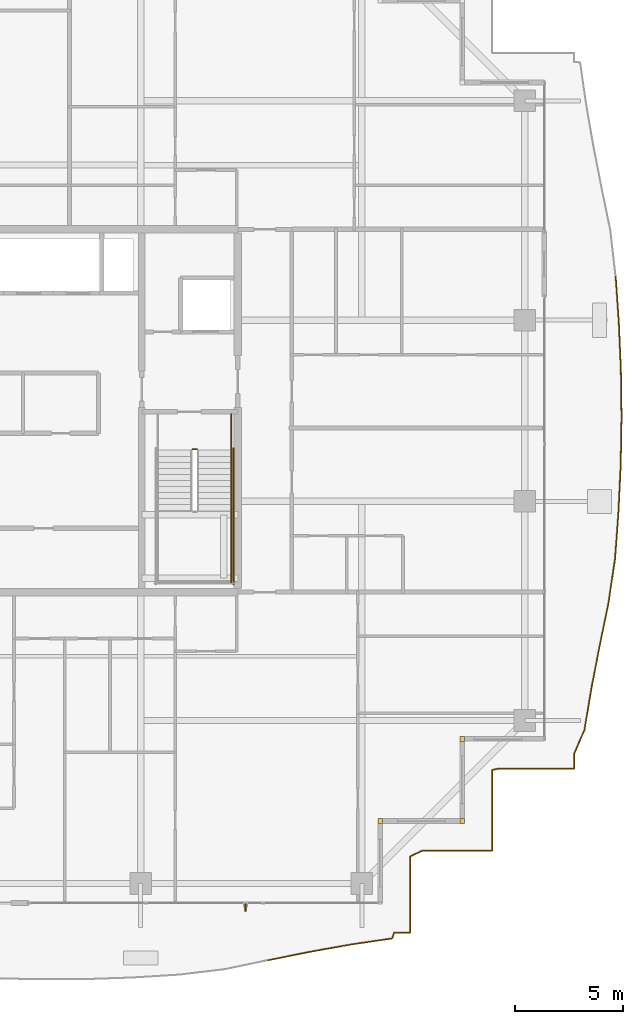
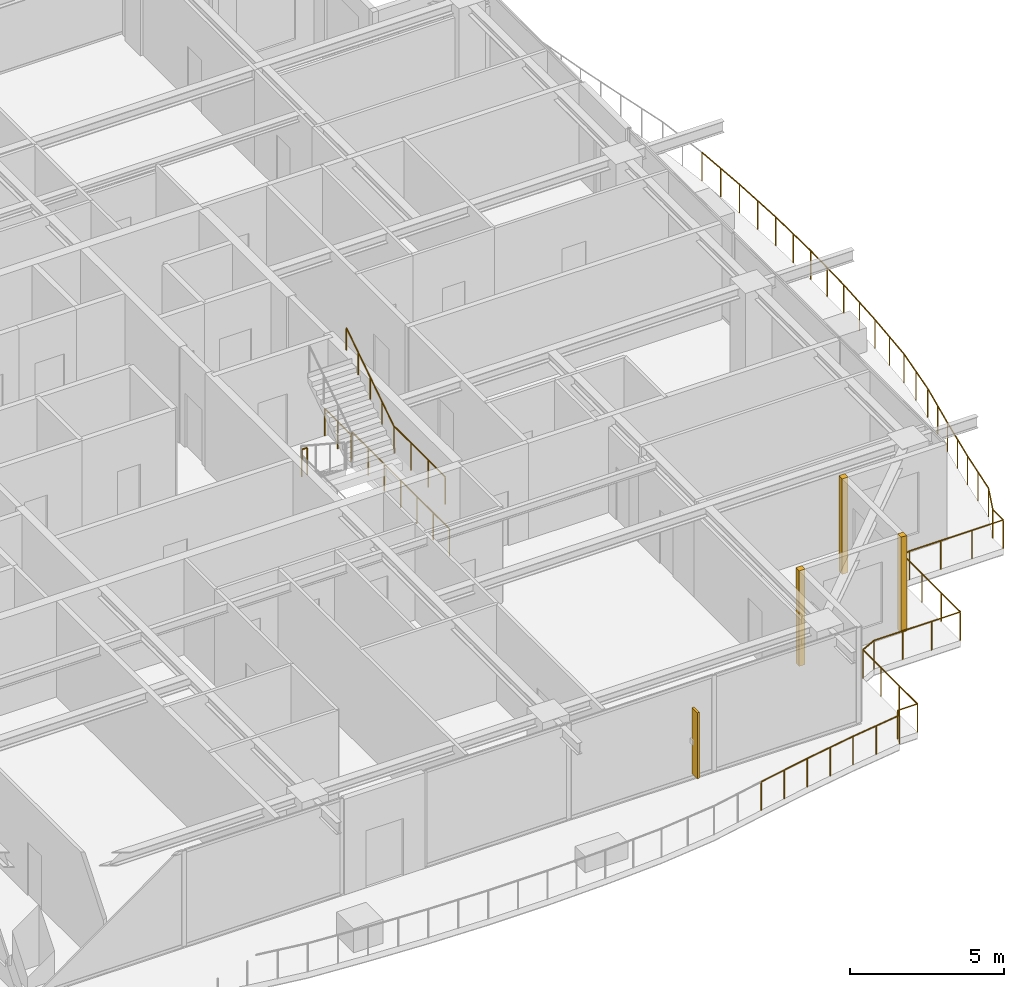
# One storey, part 41 of 42: 8 railings, 3 coverings, 1 shading device.
"""IFC4 building model written with IfcOpenShell, lengths in metres."""

from ifc_helpers import new_model, si_unit, direction, frame, origin, origin_2d, place, context, subcontext, project, spatial, rectangle, circle, extrude, source, transform, mapped, material, layer, layer_set, type_object, element, save


model = new_model("IFC4")

# Units and contexts
model_context = context("Model", 3, precision=1e-05, world=origin(), true_north=direction((0.0, 1.0)))
body_context = subcontext(model_context, "Body", "Model", "MODEL_VIEW")
ifc_project = project(units=[si_unit("LENGTHUNIT", "METRE"), si_unit("AREAUNIT", "SQUARE_METRE"), si_unit("VOLUMEUNIT", "CUBIC_METRE"), si_unit("PLANEANGLEUNIT", "RADIAN"), si_unit("MASSUNIT", "GRAM", prefix="KILO")], contexts=[model_context])

# Site, building, storey
site_placement = place(None, origin())
site = spatial("IfcSite", under=ifc_project, at=site_placement, CompositionType="ELEMENT")
building_placement = place(site_placement, origin())
building = spatial("IfcBuilding", under=site, at=building_placement, Name="Serunith Strait Residences", CompositionType="ELEMENT")
storey_placement = place(building_placement, frame((0.0, 0.0, 325.85009765625)))
storey = spatial("IfcBuildingStorey", under=building, at=storey_placement, Name="L81", CompositionType="ELEMENT", Elevation=325.85009765625)

# Railings
ifc_material_1 = material(Name="Stainless Steel & Laminated Glass Balustrade", Category="steel")
railing_type_1 = type_object("IfcRailingType", Name="RLG-BALC-1150", PredefinedType="BALUSTRADE", material=ifc_material_1)
railing_1_placement = place(storey_placement, frame((58.90234375, 31.4638671875, -0.050048828125)))
element("IfcRailing", 1, at=railing_1_placement, inside=storey, type_object=railing_type_1, Name="L81 Swirling Balcony Perimeter Balustrade 4", PredefinedType="BALUSTRADE", context=body_context, shape_type="SweptSolid", body=[
    extrude(circle(Radius=0.02392578125, at=origin_2d()), frame((0.000244140625, -0.001953125, 1.1259765625), z_axis=(0.068690200773, -0.997638038728, 0.0), x_axis=(0.997638038728, 0.068690200773, 0.0)), (0.0, 0.0, 1.0), 2.167724609375),
    extrude(circle(Radius=0.02392578125, at=origin_2d()), frame((0.149169921875, -2.16845703125, 1.1259765625), z_axis=(0.043557775177, -0.999050909725, 0.0), x_axis=(0.999050909725, 0.043557775177, 0.0)), (0.0, 0.0, 1.0), 2.193115234375),
    extrude(circle(Radius=0.02392578125, at=origin_2d()), frame((0.244873046875, -4.363525390625, 1.1259765625), z_axis=(0.013916690371, -0.999903158175, 0.0), x_axis=(0.999903158175, 0.013916690371, 0.0)), (0.0, 0.0, 1.0), 2.206298828125),
    extrude(circle(Radius=0.02392578125, at=origin_2d()), frame((0.275634765625, -6.57373046875, 1.1259765625), z_axis=(-0.017684609597, -0.999843615064, 0.0), x_axis=(0.999843615064, -0.017684609597, 0.0)), (0.0, 0.0, 1.0), 2.204833984375),
    extrude(circle(Radius=0.02392578125, at=origin_2d()), frame((0.236572265625, -8.7822265625, 1.1259765625), z_axis=(-0.04764448286, -0.998864356784, 0.0), x_axis=(0.998864356784, -0.04764448286, 0.0)), (0.0, 0.0, 1.0), 2.189208984375),
    extrude(circle(Radius=0.02392578125, at=origin_2d()), frame((0.1318359375, -10.972900390625, 1.1259765625), z_axis=(-0.072841595879, -0.997343522519, 0.0), x_axis=(0.997343522519, -0.072841595879, 0.0)), (0.0, 0.0, 1.0), 2.1611328125),
    extrude(circle(Radius=0.02392578125, at=origin_2d()), frame((-0.02587890625, -13.13232421875, 1.1259765625), z_axis=(-0.14770495768, -0.989031468396, 0.0), x_axis=(0.989031468396, -0.14770495768, 0.0)), (0.0, 0.0, 1.0), 2.10009765625),
    extrude(circle(Radius=0.02099609375, at=origin_2d()), origin(), (0.0, 0.0, 1.0), 1.099853515625),
    extrude(circle(Radius=0.02099609375, at=origin_2d()), frame((0.07470703125, -1.083251953125, 0.0)), (0.0, 0.0, 1.0), 1.099853515625),
    extrude(circle(Radius=0.02099609375, at=origin_2d()), frame((0.149169921875, -2.16650390625, 0.0)), (0.0, 0.0, 1.0), 1.099853515625),
    extrude(circle(Radius=0.02099609375, at=origin_2d()), frame((0.197021484375, -3.26416015625, 0.0)), (0.0, 0.0, 1.0), 1.099853515625),
    extrude(circle(Radius=0.02099609375, at=origin_2d()), frame((0.244873046875, -4.361572265625, 0.0)), (0.0, 0.0, 1.0), 1.099853515625),
    extrude(circle(Radius=0.02099609375, at=origin_2d()), frame((0.26025390625, -5.466796875, 0.0)), (0.0, 0.0, 1.0), 1.099853515625),
    extrude(circle(Radius=0.02099609375, at=origin_2d()), frame((0.275634765625, -6.57177734375, 0.0)), (0.0, 0.0, 1.0), 1.099853515625),
    extrude(circle(Radius=0.02099609375, at=origin_2d()), frame((0.256103515625, -7.676025390625, 0.0)), (0.0, 0.0, 1.0), 1.099853515625),
    extrude(circle(Radius=0.02099609375, at=origin_2d()), frame((0.236572265625, -8.7802734375, 0.0)), (0.0, 0.0, 1.0), 1.099853515625),
    extrude(circle(Radius=0.02099609375, at=origin_2d()), frame((0.184326171875, -9.87548828125, 0.0)), (0.0, 0.0, 1.0), 1.099853515625),
    extrude(circle(Radius=0.02099609375, at=origin_2d()), frame((0.132080078125, -10.970947265625, 0.0)), (0.0, 0.0, 1.0), 1.099853515625),
    extrude(circle(Radius=0.02099609375, at=origin_2d()), frame((0.05322265625, -12.05078125, 0.0)), (0.0, 0.0, 1.0), 1.099853515625),
    extrude(circle(Radius=0.02099609375, at=origin_2d()), frame((-0.025634765625, -13.13037109375, 0.0)), (0.0, 0.0, 1.0), 1.099853515625),
    extrude(circle(Radius=0.02099609375, at=origin_2d()), frame((-0.18115234375, -14.1708984375, 0.0)), (0.0, 0.0, 1.0), 1.099853515625),
    extrude(circle(Radius=0.02099609375, at=origin_2d()), frame((-0.33642578125, -15.21142578125, 0.0)), (0.0, 0.0, 1.0), 1.099853515625),
])
railing_2_placement = place(storey_placement, frame((58.56591796875, 16.25244140625, -0.050048828125)))
element("IfcRailing", 2, at=railing_2_placement, inside=storey, type_object=railing_type_1, Name="L81 Swirling Balcony Perimeter Balustrade 5", PredefinedType="BALUSTRADE", context=body_context, shape_type="SweptSolid", body=[
    extrude(circle(Radius=0.02392578125, at=origin_2d()), frame((-0.00048828125, -0.001953125, 1.1259765625), z_axis=(-0.203098928491, -0.979158222784, 0.0), x_axis=(0.979158222784, -0.203098928491, 0.0)), (0.0, 0.0, 1.0), 2.025146484375),
    extrude(circle(Radius=0.02392578125, at=origin_2d()), frame((-0.41259765625, -1.98876953125, 1.1259765625), z_axis=(-0.189641096575, -0.981853479135, 0.0), x_axis=(0.981853479135, -0.189641096575, 0.0)), (0.0, 0.0, 1.0), 1.969482421875),
    extrude(circle(Radius=0.02392578125, at=origin_2d()), frame((-0.78662109375, -3.926513671875, 1.1259765625), z_axis=(-0.16464449124, -0.986352975108, 0.0), x_axis=(0.986352975108, -0.16464449124, 0.0)), (0.0, 0.0, 1.0), 1.93115234375),
    extrude(circle(Radius=0.02392578125, at=origin_2d()), frame((-1.105712890625, -5.835205078125, 1.1259765625), z_axis=(-0.394911012652, -0.918719376135, 0.0), x_axis=(0.918719376135, -0.394911012652, 0.0)), (0.0, 0.0, 1.0), 1.2138671875),
    extrude(circle(Radius=0.02392578125, at=origin_2d()), frame((-1.5859375, -6.9541015625, 1.1259765625), z_axis=(0.0, -1.0, 0.0), x_axis=(1.0, 0.0, 0.0)), (0.0, 0.0, 1.0), 0.67626953125),
    extrude(circle(Radius=0.02392578125, at=origin_2d()), frame((-1.587890625, -7.63232421875, 1.1259765625), z_axis=(-1.0, 0.0, 0.0), x_axis=(0.0, -1.0, 0.0)), (0.0, 0.0, 1.0), 3.5078125),
    extrude(circle(Radius=0.02392578125, at=origin_2d()), frame((-5.099609375, -7.6328125, 1.1259765625), z_axis=(-0.969803427942, -0.243887906942, 0.0), x_axis=(0.243887906942, -0.969803427942, 0.0)), (0.0, 0.0, 1.0), 0.293212890625),
    extrude(circle(Radius=0.02392578125, at=origin_2d()), frame((-5.385986328125, -7.706787109375, 1.1259765625), z_axis=(0.0, -1.0, 0.0), x_axis=(1.0, 0.0, 0.0)), (0.0, 0.0, 1.0), 3.7236328125),
    extrude(circle(Radius=0.02099609375, at=origin_2d()), origin(), (0.0, 0.0, 1.0), 1.099853515625),
    extrude(circle(Radius=0.02099609375, at=origin_2d()), frame((-0.2060546875, -0.993408203125, 0.0)), (0.0, 0.0, 1.0), 1.099853515625),
    extrude(circle(Radius=0.02099609375, at=origin_2d()), frame((-0.412109375, -1.98681640625, 0.0)), (0.0, 0.0, 1.0), 1.099853515625),
    extrude(circle(Radius=0.02099609375, at=origin_2d()), frame((-0.59912109375, -2.95556640625, 0.0)), (0.0, 0.0, 1.0), 1.099853515625),
    extrude(circle(Radius=0.02099609375, at=origin_2d()), frame((-0.786376953125, -3.924560546875, 0.0)), (0.0, 0.0, 1.0), 1.099853515625),
    extrude(circle(Radius=0.02099609375, at=origin_2d()), frame((-0.94580078125, -4.87890625, 0.0)), (0.0, 0.0, 1.0), 1.099853515625),
    extrude(circle(Radius=0.02099609375, at=origin_2d()), frame((-1.10498046875, -5.833251953125, 0.0)), (0.0, 0.0, 1.0), 1.099853515625),
    extrude(circle(Radius=0.02099609375, at=origin_2d()), frame((-1.5859375, -6.9521484375, 0.0)), (0.0, 0.0, 1.0), 1.099853515625),
    extrude(circle(Radius=0.02099609375, at=origin_2d()), frame((-1.5859375, -7.63232421875, 0.0)), (0.0, 0.0, 1.0), 1.099853515625),
    extrude(circle(Radius=0.02099609375, at=origin_2d()), frame((-2.756591796875, -7.63232421875, 0.0)), (0.0, 0.0, 1.0), 1.099853515625),
    extrude(circle(Radius=0.02099609375, at=origin_2d()), frame((-3.927001953125, -7.63232421875, 0.0)), (0.0, 0.0, 1.0), 1.099853515625),
    extrude(circle(Radius=0.02099609375, at=origin_2d()), frame((-5.09765625, -7.63232421875, 0.0)), (0.0, 0.0, 1.0), 1.099853515625),
    extrude(circle(Radius=0.02099609375, at=origin_2d()), frame((-5.385986328125, -7.704833984375, 0.0)), (0.0, 0.0, 1.0), 1.099853515625),
    extrude(circle(Radius=0.02099609375, at=origin_2d()), frame((-5.385986328125, -8.947265625, 0.0)), (0.0, 0.0, 1.0), 1.099853515625),
    extrude(circle(Radius=0.02099609375, at=origin_2d()), frame((-5.385986328125, -10.18994140625, 0.0)), (0.0, 0.0, 1.0), 1.099853515625),
    extrude(circle(Radius=0.02099609375, at=origin_2d()), frame((-5.385986328125, -11.432373046875, 0.0)), (0.0, 0.0, 1.0), 1.099853515625),
])
railing_3_placement = place(storey_placement, frame((53.179931640625, 4.820068359375, -0.050048828125)))
element("IfcRailing", 3, at=railing_3_placement, inside=storey, type_object=railing_type_1, Name="L81 Swirling Balcony Perimeter Balustrade 6", PredefinedType="BALUSTRADE", context=body_context, shape_type="SweptSolid", body=[
    extrude(circle(Radius=0.02392578125, at=origin_2d()), frame((-0.001953125, 0.0, 1.1259765625), z_axis=(-1.0, 0.0, 0.0), x_axis=(0.0, -1.0, 0.0)), (0.0, 0.0, 1.0), 3.2236328125),
    extrude(circle(Radius=0.02392578125, at=origin_2d()), frame((-3.229248046875, -0.0009765625, 1.1259765625), z_axis=(-0.903706448383, -0.428152607315, 0.0), x_axis=(0.428152607315, -0.903706448383, 0.0)), (0.0, 0.0, 1.0), 0.62939453125),
    extrude(circle(Radius=0.02392578125, at=origin_2d()), frame((-3.800048828125, -0.273193359375, 1.1259765625), z_axis=(0.0, -1.0, 0.0), x_axis=(1.0, 0.0, 0.0)), (0.0, 0.0, 1.0), 3.52490234375),
    extrude(circle(Radius=0.02392578125, at=origin_2d()), frame((-3.802001953125, -3.800048828125, 1.1259765625), z_axis=(-1.0, 0.0, 0.0), x_axis=(0.0, -1.0, 0.0)), (0.0, 0.0, 1.0), 0.733642578125),
    extrude(circle(Radius=0.02392578125, at=origin_2d()), frame((-4.538330078125, -3.802001953125, 1.1259765625), z_axis=(-0.311267515702, -0.950322331459, 0.0), x_axis=(0.950322331459, -0.311267515702, 0.0)), (0.0, 0.0, 1.0), 0.27685546875),
    extrude(circle(Radius=0.02392578125, at=origin_2d()), frame((-4.626953125, -4.067138671875, 1.1259765625), z_axis=(-0.989399043001, -0.145222359533, 0.0), x_axis=(0.145222359533, -0.989399043001, 0.0)), (0.0, 0.0, 1.0), 1.910888671875),
    extrude(circle(Radius=0.02392578125, at=origin_2d()), frame((-6.521484375, -4.34521484375, 1.1259765625), z_axis=(-0.984627452166, -0.174667628488, 0.0), x_axis=(0.174667628488, -0.984627452166, 0.0)), (0.0, 0.0, 1.0), 1.9375),
    extrude(circle(Radius=0.02392578125, at=origin_2d()), frame((-8.43310546875, -4.6845703125, 1.1259765625), z_axis=(-0.98031499037, -0.197439914037, 0.0), x_axis=(0.197439914037, -0.98031499037, 0.0)), (0.0, 0.0, 1.0), 1.98193359375),
    extrude(circle(Radius=0.02099609375, at=origin_2d()), origin(), (0.0, 0.0, 1.0), 1.099853515625),
    extrude(circle(Radius=0.02099609375, at=origin_2d()), frame((-1.075927734375, 0.0, 0.0)), (0.0, 0.0, 1.0), 1.099853515625),
    extrude(circle(Radius=0.02099609375, at=origin_2d()), frame((-2.151611328125, 0.0, 0.0)), (0.0, 0.0, 1.0), 1.099853515625),
    extrude(circle(Radius=0.02099609375, at=origin_2d()), frame((-3.2275390625, 0.0, 0.0)), (0.0, 0.0, 1.0), 1.099853515625),
    extrude(circle(Radius=0.02099609375, at=origin_2d()), frame((-3.800048828125, -0.271240234375, 0.0)), (0.0, 0.0, 1.0), 1.099853515625),
    extrude(circle(Radius=0.02099609375, at=origin_2d()), frame((-3.800048828125, -1.447509765625, 0.0)), (0.0, 0.0, 1.0), 1.099853515625),
    extrude(circle(Radius=0.02099609375, at=origin_2d()), frame((-3.800048828125, -2.623779296875, 0.0)), (0.0, 0.0, 1.0), 1.099853515625),
    extrude(circle(Radius=0.02099609375, at=origin_2d()), frame((-3.800048828125, -3.800048828125, 0.0)), (0.0, 0.0, 1.0), 1.099853515625),
    extrude(circle(Radius=0.02099609375, at=origin_2d()), frame((-4.53759765625, -3.800048828125, 0.0)), (0.0, 0.0, 1.0), 1.099853515625),
    extrude(circle(Radius=0.02099609375, at=origin_2d()), frame((-4.625, -4.06689453125, 0.0)), (0.0, 0.0, 1.0), 1.099853515625),
    extrude(circle(Radius=0.02099609375, at=origin_2d()), frame((-5.572265625, -4.2060546875, 0.0)), (0.0, 0.0, 1.0), 1.099853515625),
    extrude(circle(Radius=0.02099609375, at=origin_2d()), frame((-6.51953125, -4.344970703125, 0.0)), (0.0, 0.0, 1.0), 1.099853515625),
    extrude(circle(Radius=0.02099609375, at=origin_2d()), frame((-7.475341796875, -4.5146484375, 0.0)), (0.0, 0.0, 1.0), 1.099853515625),
    extrude(circle(Radius=0.02099609375, at=origin_2d()), frame((-8.43115234375, -4.68408203125, 0.0)), (0.0, 0.0, 1.0), 1.099853515625),
    extrude(circle(Radius=0.02099609375, at=origin_2d()), frame((-9.404541015625, -4.880126953125, 0.0)), (0.0, 0.0, 1.0), 1.099853515625),
    extrude(circle(Radius=0.02099609375, at=origin_2d()), frame((-10.3779296875, -5.076171875, 0.0)), (0.0, 0.0, 1.0), 1.099853515625),
])
ifc_material_2 = material(Name="Brushed stainless steel 316L", Category="steel")
railing_type_2 = type_object("IfcRailingType", Name="RLG-STAIR-GUARD", PredefinedType="BALUSTRADE", material=ifc_material_2)
railing_4_placement = place(storey_placement, frame((41.10009765625, 20.570068359375, 2.02490234375)))
element("IfcRailing", 4, at=railing_4_placement, inside=storey, type_object=railing_type_2, Name="L81 ST-2 stair guard 4", PredefinedType="BALUSTRADE", context=body_context, shape_type="SweptSolid", body=[
    extrude(circle(Radius=0.02392578125, at=origin_2d()), frame((0.0, -0.001953125, 1.076171875), z_axis=(0.0, -1.0, 0.0), x_axis=(1.0, 0.0, 0.0)), (0.0, 0.0, 1.0), 3.316162109375),
    extrude(circle(Radius=0.02099609375, at=origin_2d()), origin(), (0.0, 0.0, 1.0), 1.050048828125),
    extrude(circle(Radius=0.02099609375, at=origin_2d()), frame((0.0, -1.106689453125, 0.0)), (0.0, 0.0, 1.0), 1.050048828125),
    extrude(circle(Radius=0.02099609375, at=origin_2d()), frame((0.0, -2.21337890625, 0.0)), (0.0, 0.0, 1.0), 1.050048828125),
    extrude(circle(Radius=0.02099609375, at=origin_2d()), frame((0.0, -3.320068359375, 0.0)), (0.0, 0.0, 1.0), 1.050048828125),
])
railing_5_placement = place(storey_placement, frame((39.300048828125, 23.419921875, 0.0)))
element("IfcRailing", 5, at=railing_5_placement, inside=storey, type_object=railing_type_2, Name="L81 ST-2 stair guard 7", PredefinedType="BALUSTRADE", context=body_context, shape_type="SweptSolid", body=[
    extrude(circle(Radius=0.02392578125, at=origin_2d()), frame((0.001953125, 0.0, 1.076171875), z_axis=(1.0, 0.0, 0.0), x_axis=(0.0, 1.0, 0.0)), (0.0, 0.0, 1.0), 0.196044921875),
    extrude(circle(Radius=0.02099609375, at=origin_2d()), origin(), (0.0, 0.0, 1.0), 1.050048828125),
    extrude(circle(Radius=0.02099609375, at=origin_2d()), frame((0.199951171875, 0.0, 0.0)), (0.0, 0.0, 1.0), 1.050048828125),
])
railing_6_placement = place(storey_placement, frame((41.10009765625, 25.050048828125, 0.0)))
element("IfcRailing", 6, at=railing_6_placement, inside=storey, type_object=railing_type_2, Name="L81 ST-2 stair guard 9", PredefinedType="BALUSTRADE", context=body_context, shape_type="SweptSolid", body=[
    extrude(circle(Radius=0.02392578125, at=origin_2d()), frame((0.0, -0.001953125, 1.076171875), z_axis=(0.0, -1.0, 0.0), x_axis=(1.0, 0.0, 0.0)), (0.0, 0.0, 1.0), 1.676025390625),
    extrude(circle(Radius=0.02099609375, at=origin_2d()), origin(), (0.0, 0.0, 1.0), 1.050048828125),
    extrude(circle(Radius=0.02099609375, at=origin_2d()), frame((0.0, -0.83984375, 0.0)), (0.0, 0.0, 1.0), 1.050048828125),
    extrude(circle(Radius=0.02099609375, at=origin_2d()), frame((0.0, -1.679931640625, 0.0)), (0.0, 0.0, 1.0), 1.050048828125),
])
railing_7_placement = place(storey_placement, frame((41.199951171875, 23.469970703125, 0.0)))
element("IfcRailing", 7, at=railing_7_placement, inside=storey, type_object=railing_type_2, Name="L81 ST-2 stair guard 11", PredefinedType="BALUSTRADE", context=body_context, shape_type="SweptSolid", body=[
    extrude(circle(Radius=0.02392578125, at=origin_2d()), frame((0.0, -0.001953125, 1.076171875), z_axis=(0.0, -1.0, 0.0), x_axis=(1.0, 0.0, 0.0)), (0.0, 0.0, 1.0), 6.316162109375),
    extrude(circle(Radius=0.02099609375, at=origin_2d()), origin(), (0.0, 0.0, 1.0), 1.050048828125),
    extrude(circle(Radius=0.02099609375, at=origin_2d()), frame((0.0, -1.05322265625, 0.0)), (0.0, 0.0, 1.0), 1.050048828125),
    extrude(circle(Radius=0.02099609375, at=origin_2d()), frame((0.0, -2.106689453125, 0.0)), (0.0, 0.0, 1.0), 1.050048828125),
    extrude(circle(Radius=0.02099609375, at=origin_2d()), frame((0.0, -3.16015625, 0.0)), (0.0, 0.0, 1.0), 1.050048828125),
    extrude(circle(Radius=0.02099609375, at=origin_2d()), frame((0.0, -4.21337890625, 0.0)), (0.0, 0.0, 1.0), 1.050048828125),
    extrude(circle(Radius=0.02099609375, at=origin_2d()), frame((0.0, -5.2666015625, 0.0)), (0.0, 0.0, 1.0), 1.050048828125),
    extrude(circle(Radius=0.02099609375, at=origin_2d()), frame((0.0, -6.320068359375, 0.0)), (0.0, 0.0, 1.0), 1.050048828125),
])
railing_type_3 = type_object("IfcRailingType", Name="RLG-STAIR-HR", PredefinedType="HANDRAIL", material=ifc_material_2)
railing_8_placement = place(storey_placement, frame((41.10009765625, 20.570068359375, 2.208984375)))
element("IfcRailing", 8, at=railing_8_placement, inside=storey, type_object=railing_type_3, Name="L81 ST-2 stair handrail 2", PredefinedType="HANDRAIL", context=body_context, shape_type="SweptSolid", body=[
    extrude(circle(Radius=0.02392578125, at=origin_2d()), frame((0.0, 0.001708984375, 0.876953125), z_axis=(0.0, 0.834940924727, 0.550339579002), x_axis=(-1.0, 0.0, 0.0)), (0.0, 0.0, 1.0), 3.6845703125),
    extrude(circle(Radius=0.02099609375, at=origin_2d()), origin(), (0.0, 0.0, 1.0), 0.849853515625),
    extrude(circle(Radius=0.02099609375, at=origin_2d()), frame((0.0, 0.77001953125, 0.507568359375)), (0.0, 0.0, 1.0), 0.849853515625),
    extrude(circle(Radius=0.02099609375, at=origin_2d()), frame((0.0, 1.5400390625, 1.01513671875)), (0.0, 0.0, 1.0), 0.849853515625),
    extrude(circle(Radius=0.02099609375, at=origin_2d()), frame((0.0, 2.309814453125, 1.5224609375)), (0.0, 0.0, 1.0), 0.849853515625),
    extrude(circle(Radius=0.02099609375, at=origin_2d()), frame((0.0, 3.079833984375, 2.030029296875)), (0.0, 0.0, 1.0), 0.849853515625),
])

# Shading device
ifc_material_3 = material(Name="Pale-Champagne Perforated Aluminium Fin", Category="aluminium")
shading_device_type = type_object("IfcShadingDeviceType", Name="SHD-DIAG-FIN", PredefinedType="AWNING", material=ifc_material_3)
shared_shape_1 = source(origin(), body_context, "Body", "SweptSolid", [
    extrude(rectangle(XDim=0.080078125, YDim=0.35009765625, at=origin_2d()), origin(), (0.0, 0.0, 1.0), 2.60009765625),
])
shading_device_placement = place(storey_placement, frame((41.760009765625, 2.179931640625, 0.199951171875), z_axis=(0.0, 0.0, 1.0), x_axis=(1.0, 0.0, 0.0)))
element("IfcShadingDevice", 9, at=shading_device_placement, inside=storey, type_object=shading_device_type, Name="L81 Diagonal Rhythm Solar Fin S", PredefinedType="AWNING", context=body_context, shape_type="MappedRepresentation", body=[
    mapped(shared_shape_1, transform((0.0, 0.0, 0.0), scale=1.0)),
])

# Coverings
ifc_material_4 = material(Name="Pale-Champagne Anodised Aluminium", Category="aluminium")
ifc_layer = layer(ifc_material_4, 0.219970703125, Name="Pale-Champagne Anodised Aluminium")
ifc_layer_set = layer_set([ifc_layer], Name="Pale-Champagne Anodised Aluminium")
covering_type = type_object("IfcCoveringType", Name="COV-CORN-TRIM", PredefinedType="CLADDING", material=ifc_layer_set)
shared_shape_2 = source(origin(), body_context, "Body", "SweptSolid", [
    extrude(rectangle(XDim=0.221923828125, YDim=0.221923828125, at=origin_2d()), origin(), (0.0, 0.0, 1.0), 3.77490234375),
])
for number, where, z_axis, x_axis, name in (
    (10, (48.0, 6.199951171875, 0.0), (0.0, 0.0, 1.0), (1.0, 0.0, 0.0), "L81 Girih Serrated Corner Trim Post 02"),
    (11, (51.800048828125, 6.199951171875, 0.0), (0.0, 0.0, 1.0), (1.0, 0.0, 0.0), "L81 Girih Serrated Corner Trim Post 03"),
    (12, (51.800048828125, 10.0, 0.0), (0.0, 0.0, 1.0), (1.0, 0.0, 0.0), "L81 Girih Serrated Corner Trim Post 04"),
):
    element("IfcCovering", number, at=place(storey_placement, frame(where, z_axis=z_axis, x_axis=x_axis)), inside=storey, type_object=covering_type, Name=name, PredefinedType="CLADDING", context=body_context, shape_type="MappedRepresentation", body=[
        mapped(shared_shape_2, transform((0.0, 0.0, 0.0), scale=1.0)),
    ])

save(model, "model.ifc")
